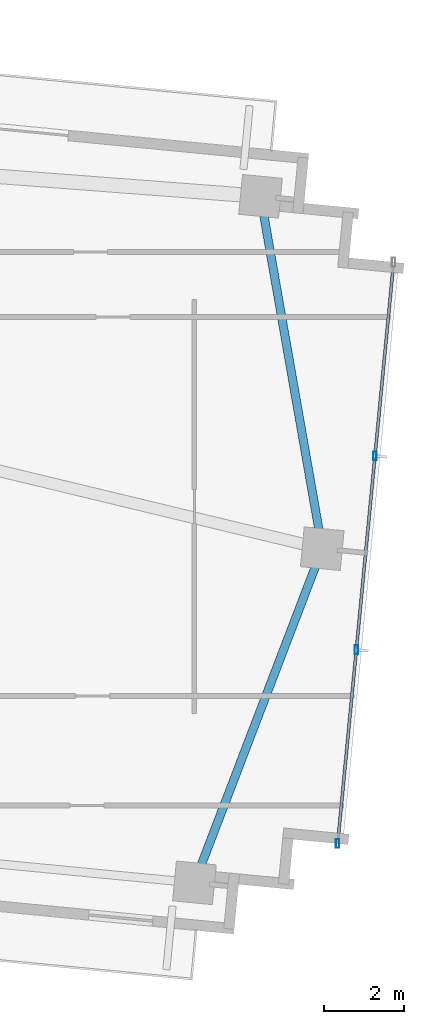
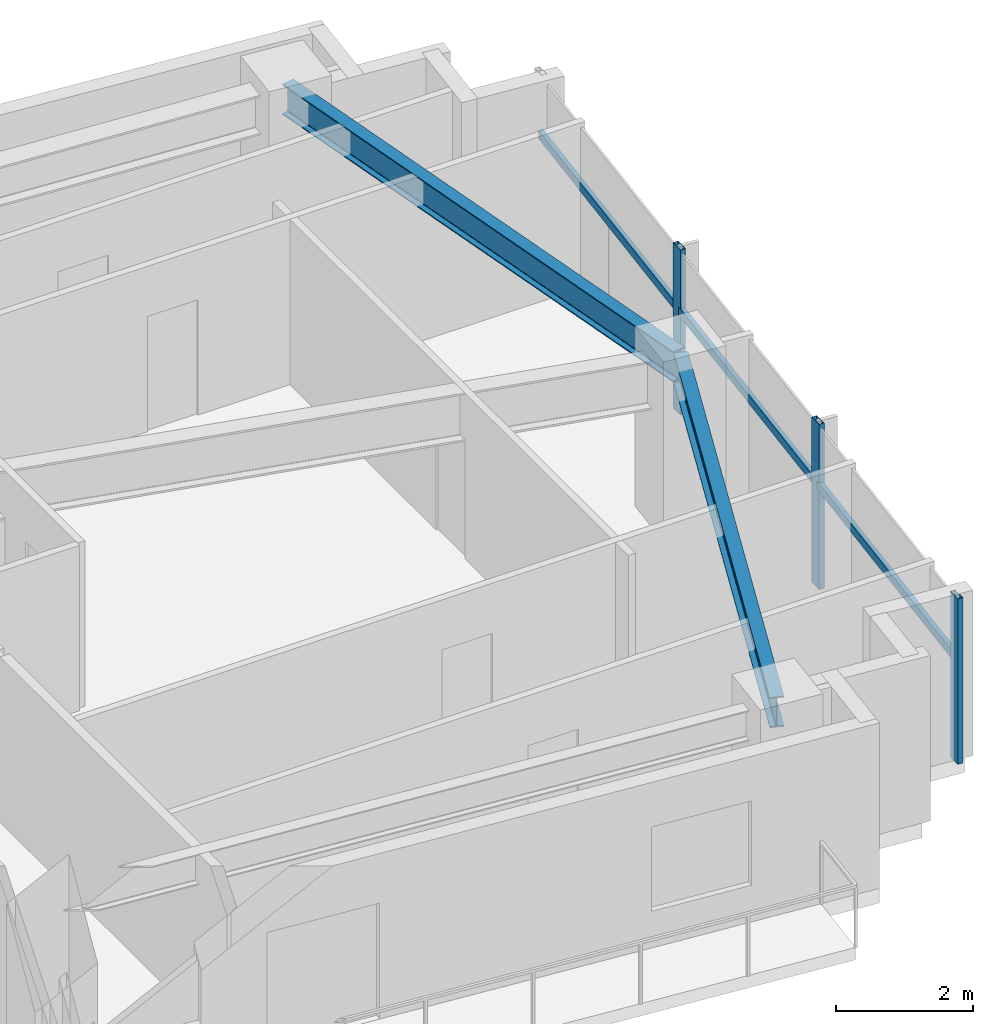
# One storey, part 11 of 20: 6 members, 2 beams, 1 element without a shape of its own.
"""IFC4 building model written with IfcOpenShell, lengths in metres."""

from ifc_helpers import new_model, si_unit, direction, frame, origin, origin_2d, place, context, subcontext, project, spatial, hollow_rectangle, i_section, extrude, source, transform, mapped, material, material_profile, profile_set, type_object, type_shapes, element, aggregate, save


model = new_model("IFC4")

# Units and contexts
model_context = context("Model", 3, precision=1e-05, world=origin(), true_north=direction((0.0, 1.0)))
body_context = subcontext(model_context, "Body", "Model", "MODEL_VIEW")
ifc_project = project(units=[si_unit("LENGTHUNIT", "METRE"), si_unit("AREAUNIT", "SQUARE_METRE"), si_unit("VOLUMEUNIT", "CUBIC_METRE"), si_unit("PLANEANGLEUNIT", "RADIAN"), si_unit("MASSUNIT", "GRAM", prefix="KILO")], contexts=[model_context])

# Site, building, storey
site_placement = place(None, origin())
site = spatial("IfcSite", under=ifc_project, at=site_placement, CompositionType="ELEMENT")
building_placement = place(site_placement, origin())
building = spatial("IfcBuilding", under=site, at=building_placement, Name="Astriad Promenade Condominiums", CompositionType="ELEMENT")
storey_placement = place(building_placement, frame((0.0, 0.0, 131.0)))
storey = spatial("IfcBuildingStorey", under=building, at=storey_placement, Name="L37", CompositionType="ELEMENT", Elevation=131.0)

# Beams
ifc_material_1 = material(Name="Steel ASTM A992 Grade 50", Category="steel")
ifc_material_profile_1 = material_profile(ifc_material_1, i_section(OverallWidth=0.210693359375, OverallDepth=0.53955078125, WebThickness=0.01171875, FlangeThickness=0.018798828125, FilletRadius=0.0166015625, at=origin_2d()), Name="W21X73")
ifc_profile_set_1 = profile_set([ifc_material_profile_1], Name="Steel ASTM A992 Grade 50")
beam_type = type_object("IfcBeamType", Name="STEEL SPANDREL BEAM W21X73", PredefinedType="SPANDREL", material=ifc_profile_set_1)
shared_shape_1 = source(origin(), body_context, "Body", "SweptSolid", [
    extrude(i_section(OverallWidth=0.210693359375, OverallDepth=0.53955078125, WebThickness=0.01171875, FlangeThickness=0.018798828125, FilletRadius=0.0166015625, at=origin_2d()), origin(), (0.0, 0.0, 1.0), 8.8623046875),
])
type_shapes(beam_type, [shared_shape_1])
for number, where, z_axis, x_axis, name in (
    (1, (55.081298828125, 6.033447265625, 2.67041015625), (0.357298632827, 0.933990196405, 0.0), (-0.933990196405, 0.357298632827, 0.0), "Perimeter Spandrel Beam SP-E1-L37"),
    (2, (58.25537109375, 14.3876953125, 2.67041015625), (-0.172532686951, 0.985003792852, 0.0), (-0.985003792852, -0.172532686951, 0.0), "Perimeter Spandrel Beam SP-E2-L37"),
):
    element("IfcBeam", number, at=place(storey_placement, frame(where, z_axis=z_axis, x_axis=x_axis)), inside=storey, type_object=beam_type, Name=name, PredefinedType="SPANDREL", context=body_context, shape_type="MappedRepresentation", body=[
        mapped(shared_shape_1, transform((0.0, 0.0, 0.0), scale=1.0)),
    ])

# Curtain wall, members
ifc_material_2 = material(Name="Anodised aluminium Black Dark Glass Unitised", Category="aluminium")
curtain_wall_type = type_object("IfcCurtainWallType", Name="CW-B34-DARK", PredefinedType="USERDEFINED", material=ifc_material_2)
curtain_wall_placement = place(storey_placement, origin())
curtain_wall = element("IfcCurtainWall", 3, at=curtain_wall_placement, inside=storey, type_object=curtain_wall_type, Name="CW-L37-E", ObjectType="UNITISED_CURTAIN_WALL", PredefinedType="USERDEFINED")
ifc_material_3 = material(Name="Anodised aluminium 6063-T6 Black", Category="aluminium")
ifc_material_profile_2 = material_profile(ifc_material_3, hollow_rectangle(XDim=0.0849609375, YDim=0.219970703125, WallThickness=0.0048828125, at=origin_2d()), Name="ALU-MUL-85X220")
ifc_profile_set_2 = profile_set([ifc_material_profile_2], Name="Anodised aluminium 6063-T6 Black")
member_type_1 = type_object("IfcMemberType", Name="MUL-ALU-MUL-85X220", PredefinedType="MULLION", material=ifc_profile_set_2)
shared_shape_2 = source(origin(), body_context, "Body", "SweptSolid", [
    extrude(hollow_rectangle(XDim=0.0849609375, YDim=0.219970703125, WallThickness=0.0048828125, at=origin_2d()), origin(), (0.0, 0.0, 1.0), 2.93994140625),
])
type_shapes(member_type_1, [shared_shape_2])
member_1_placement = place(storey_placement, frame((59.580322265625, 16.666015625, 0.0), z_axis=(0.0, 0.0, 1.0), x_axis=(1.0, 0.0, 0.0)))
member_1 = element("IfcMember", 4, at=member_1_placement, type_object=member_type_1, Name="CW-L37-E-MUL-01", PredefinedType="MULLION", context=body_context, shape_type="MappedRepresentation", body=[
    mapped(shared_shape_2, transform((0.0, 0.0, 0.0), scale=1.0)),
])
member_2_placement = place(storey_placement, frame((59.114013671875, 11.82177734375, 0.0), z_axis=(0.0, 0.0, 1.0), x_axis=(1.0, 0.0, 0.0)))
member_2 = element("IfcMember", 5, at=member_2_placement, type_object=member_type_1, Name="CW-L37-E-MUL-02", PredefinedType="MULLION", context=body_context, shape_type="MappedRepresentation", body=[
    mapped(shared_shape_2, transform((0.0, 0.0, 0.0), scale=1.0)),
])
member_3_placement = place(storey_placement, frame((58.6474609375, 6.977294921875, 0.0), z_axis=(0.0, 0.0, 1.0), x_axis=(1.0, 0.0, 0.0)))
member_3 = element("IfcMember", 6, at=member_3_placement, type_object=member_type_1, Name="CW-L37-E-MUL-03", PredefinedType="MULLION", context=body_context, shape_type="MappedRepresentation", body=[
    mapped(shared_shape_2, transform((0.0, 0.0, 0.0), scale=1.0)),
])
ifc_material_profile_3 = material_profile(ifc_material_3, hollow_rectangle(XDim=0.074951171875, YDim=0.14990234375, WallThickness=0.004150390625, at=origin_2d()), Name="ALU-TRN-75X150")
ifc_profile_set_3 = profile_set([ifc_material_profile_3], Name="Anodised aluminium 6063-T6 Black")
member_type_2 = type_object("IfcMemberType", Name="TRN-ALU-TRN-75X150", PredefinedType="USERDEFINED", material=ifc_profile_set_3)
shared_shape_3 = source(origin(), body_context, "Body", "SweptSolid", [
    extrude(hollow_rectangle(XDim=0.074951171875, YDim=0.14990234375, WallThickness=0.004150390625, at=origin_2d()), origin(), (0.0, 0.0, 1.0), 4.86669921875),
])
member_4_placement = place(storey_placement, frame((60.046875, 21.51025390625, 1.82275390625), z_axis=(-0.095867260207, -0.995394127178, 0.0), x_axis=(0.995394127178, -0.095867260207, 0.0)))
member_4 = element("IfcMember", 7, at=member_4_placement, type_object=member_type_2, Name="CW-L37-E-TRN-00-0", ObjectType="TRANSOM", PredefinedType="USERDEFINED", context=body_context, shape_type="MappedRepresentation", body=[
    mapped(shared_shape_3, transform((0.0, 0.0, 0.0), scale=1.0)),
])
member_5_placement = place(storey_placement, frame((59.580322265625, 16.666015625, 1.82275390625), z_axis=(-0.095817554883, -0.995398913088, 0.0), x_axis=(0.995398913088, -0.095817554883, 0.0)))
member_5 = element("IfcMember", 8, at=member_5_placement, type_object=member_type_2, Name="CW-L37-E-TRN-01-0", ObjectType="TRANSOM", PredefinedType="USERDEFINED", context=body_context, shape_type="MappedRepresentation", body=[
    mapped(shared_shape_3, transform((0.0, 0.0, 0.0), scale=1.0)),
])
shared_shape_4 = source(origin(), body_context, "Body", "SweptSolid", [
    extrude(hollow_rectangle(XDim=0.074951171875, YDim=0.14990234375, WallThickness=0.004150390625, at=origin_2d()), origin(), (0.0, 0.0, 1.0), 4.866943359375),
])
type_shapes(member_type_2, [shared_shape_3, shared_shape_4])
member_6_placement = place(storey_placement, frame((59.114013671875, 11.82177734375, 1.82275390625), z_axis=(-0.095862473318, -0.995394588196, 0.0), x_axis=(0.995394588196, -0.095862473318, 0.0)))
member_6 = element("IfcMember", 9, at=member_6_placement, type_object=member_type_2, Name="CW-L37-E-TRN-02-0", ObjectType="TRANSOM", PredefinedType="USERDEFINED", context=body_context, shape_type="MappedRepresentation", body=[
    mapped(shared_shape_4, transform((0.0, 0.0, 0.0), scale=1.0)),
])
aggregate(curtain_wall, [member_1, member_2, member_3, member_4, member_5, member_6])

save(model, "model.ifc")
